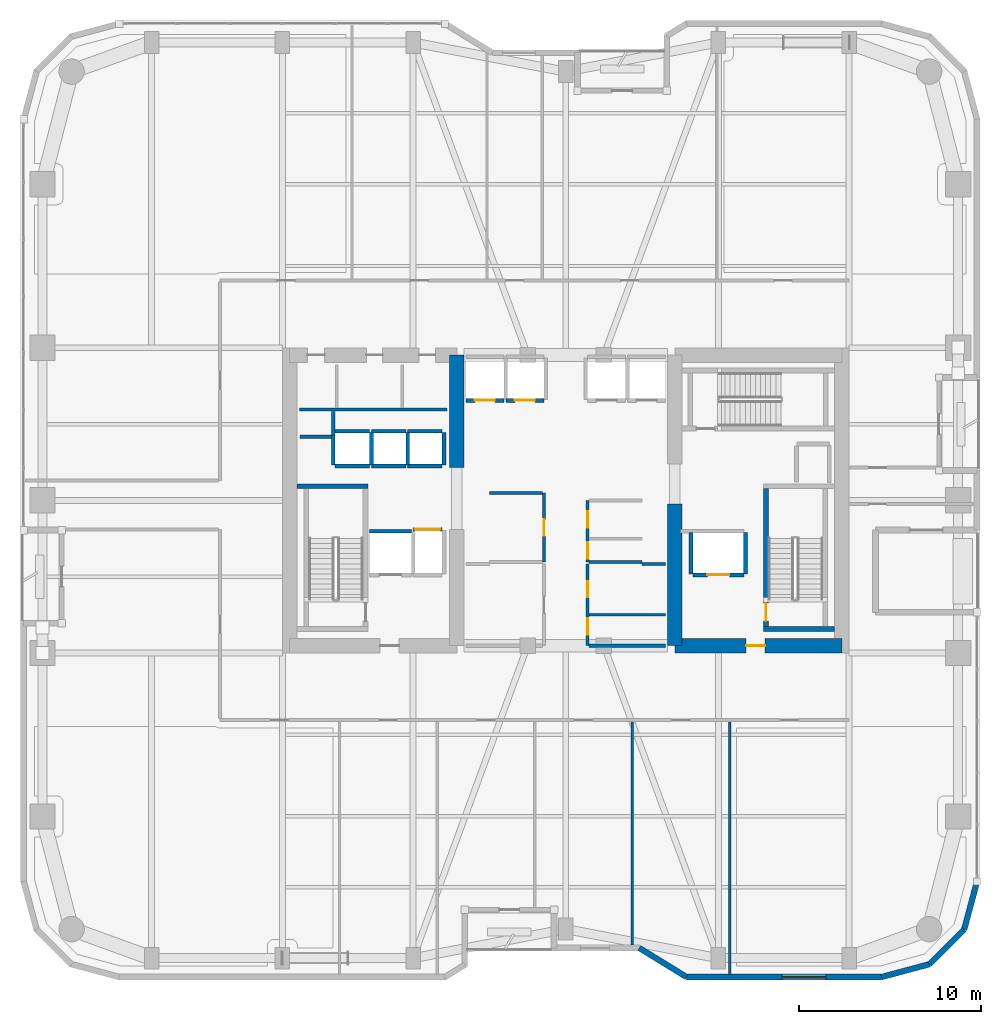
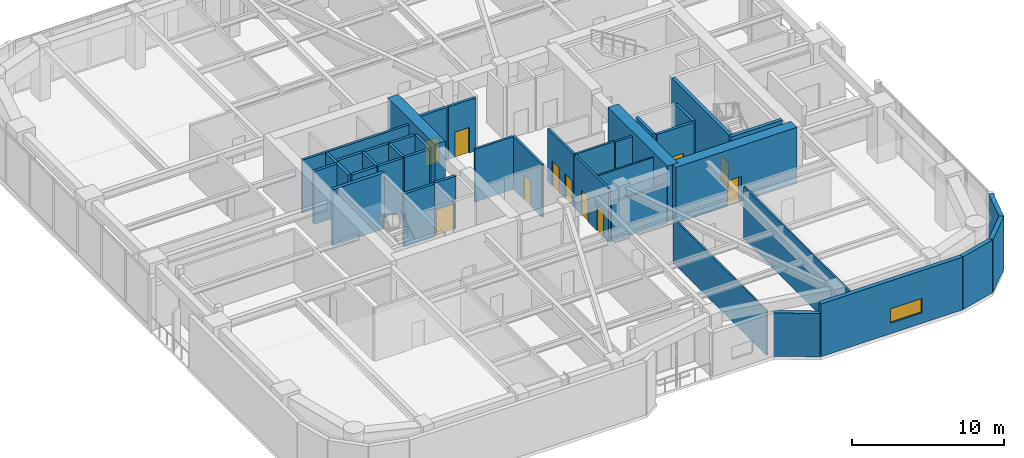
# One storey, part 15 of 20: 41 walls, 11 doors, 1 window, 12 openings.
"""IFC4 building model written with IfcOpenShell, lengths in metres."""

from ifc_helpers import new_model, si_unit, direction, frame, frame_2d, origin, place, context, subcontext, project, spatial, rectangle, extrude, material, layer, layer_set, type_object, element, fill, save


model = new_model("IFC4")

# Units and contexts
model_context = context("Model", 3, precision=1e-05, world=origin(), true_north=direction((0.0, 1.0)))
body_context = subcontext(model_context, "Body", "Model", "MODEL_VIEW")
ifc_project = project(units=[si_unit("LENGTHUNIT", "METRE"), si_unit("AREAUNIT", "SQUARE_METRE"), si_unit("VOLUMEUNIT", "CUBIC_METRE"), si_unit("PLANEANGLEUNIT", "RADIAN"), si_unit("MASSUNIT", "GRAM", prefix="KILO")], contexts=[model_context])

# Site, building, storey
site_placement = place(None, origin())
site = spatial("IfcSite", under=ifc_project, at=site_placement, CompositionType="ELEMENT")
building_placement = place(site_placement, origin())
building = spatial("IfcBuilding", under=site, at=building_placement, Name="Kiyonajd Concourse Tower", CompositionType="ELEMENT")
storey_placement = place(building_placement, frame((0.0, 0.0, 125.39990234375)))
storey = spatial("IfcBuildingStorey", under=building, at=storey_placement, Name="L32", CompositionType="ELEMENT", Elevation=125.39990234375)

# Walls
ifc_material_1 = material(Name="Concrete C70/85", Category="concrete")
ifc_layer_1 = layer(ifc_material_1, 0.800048828125)
ifc_layer_set_1 = layer_set([ifc_layer_1], Name="Concrete C70/85")
wall_type_1 = type_object("IfcWallType", Name="WL-CORE-800", PredefinedType="SHEAR", material=ifc_layer_set_1)
wall_1_placement = place(storey_placement, frame((42.0, 37.800048828125, 0.0), z_axis=(0.0, 0.0, 1.0), x_axis=(0.0, 1.0, 0.0)))
element("IfcWall", 1, at=wall_1_placement, inside=storey, type_object=wall_type_1, Name="L32 West Core Inner North Shear Wall", PredefinedType="SHEAR", context=body_context, shape_type="SweptSolid", body=[
    extrude(rectangle(XDim=6.199951171875, YDim=0.800048828125, at=frame_2d((3.10009765625, 0.0))), origin(), (0.0, 0.0, 1.0), 4.5),
])
wall_2_placement = place(storey_placement, frame((54.0, 28.0, 0.0), z_axis=(0.0, 0.0, 1.0), x_axis=(0.0, 1.0, 0.0)))
element("IfcWall", 2, at=wall_2_placement, inside=storey, type_object=wall_type_1, Name="L32 East Core Inner South Shear Wall", PredefinedType="SHEAR", context=body_context, shape_type="SweptSolid", body=[
    extrude(rectangle(XDim=7.800048828125, YDim=0.800048828125, at=frame_2d((3.89990234375, 0.0))), origin(), (0.0, 0.0, 1.0), 4.5),
])

# Wall, opening, door
wall_3_placement = place(storey_placement, frame((54.0, 28.0, 0.0), z_axis=(0.0, 0.0, 1.0), x_axis=(1.0, 0.0, 0.0)))
wall_3 = element("IfcWall", 3, at=wall_3_placement, inside=storey, type_object=wall_type_1, Name="L32 East Core South Shear Wall", PredefinedType="SHEAR", context=body_context, shape_type="SweptSolid", body=[
    extrude(rectangle(XDim=9.199951171875, YDim=0.800048828125, at=frame_2d((4.60009765625, 0.0))), origin(), (0.0, 0.0, 1.0), 4.5),
])
opening_1_placement = place(wall_3_placement, frame((3.925048828125, 0.0, 0.0)))
opening_1 = element("IfcOpeningElement", 4, at=opening_1_placement, cuts=wall_3, Name="Opening DF5", PredefinedType="OPENING", context=body_context, shape_type="SweptSolid", body=[
    extrude(rectangle(XDim=1.050048828125, YDim=2.0400390625, at=frame_2d((0.52490234375, 1.02001953125))), frame((0.0, 0.409912109375, 0.0), z_axis=(0.0, -1.0, 0.0), x_axis=(1.0, 0.0, 0.0)), (0.0, 0.0, 1.0), 0.820068359375),
])
ifc_material_2 = material(Name="Brushed Stainless Steel Cab Assembly", Category="steel")
door_type_1 = type_object("IfcDoorType", Name="DR-FD45-1050", OperationType="NOTDEFINED", PredefinedType="DOOR", material=ifc_material_2)
door_1_placement = place(opening_1_placement, origin())
door_1 = element("IfcDoor", 5, at=door_1_placement, inside=storey, type_object=door_type_1, Name="L32 Firefighting Lift Lobby E Smoke Door", OperationType="SINGLE_SWING_RIGHT", OverallHeight=2.0400390625, OverallWidth=1.050048828125, PredefinedType="DOOR", context=body_context, shape_type="SweptSolid", body=[
    extrude(rectangle(XDim=1.050048828125, YDim=2.0400390625, at=frame_2d((0.52490234375, 1.02001953125))), frame((0.0, 0.02490234375, 0.0), z_axis=(0.0, -1.0, 0.0), x_axis=(1.0, 0.0, 0.0)), (0.0, 0.0, 1.0), 0.050048828125),
])
fill(opening_1, door_1)

# Walls
ifc_material_3 = material(Name="Precast concrete C50/60", Category="concrete")
ifc_layer_2 = layer(ifc_material_3, 0.320068359375)
ifc_layer_set_2 = layer_set([ifc_layer_2], Name="Precast concrete C50/60")
wall_type_2 = type_object("IfcWallType", Name="WL-EXT-320", PredefinedType="SOLIDWALL", material=ifc_layer_set_2)
wall_4_placement = place(storey_placement, frame((70.639892578125, 15.02099609375, 0.0), z_axis=(0.0, 0.0, 1.0), x_axis=(-0.258613949072, -0.965980758269, 0.0)))
element("IfcWall", 6, at=wall_4_placement, inside=storey, type_object=wall_type_2, Name="L32 Exterior Concrete Frame Wall 28", PredefinedType="SOLIDWALL", context=body_context, shape_type="SweptSolid", body=[
    extrude(rectangle(XDim=2.731201171875, YDim=0.320068359375, at=frame_2d((1.36572265625, 0.0))), origin(), (0.0, 0.0, 1.0), 4.239990234375),
])
wall_5_placement = place(storey_placement, frame((69.93359375, 12.3828125, 0.0), z_axis=(0.0, 0.0, 1.0), x_axis=(-0.707151821269, -0.707061738235, 0.0)))
element("IfcWall", 7, at=wall_5_placement, inside=storey, type_object=wall_type_2, Name="L32 Exterior Concrete Frame Wall 29", PredefinedType="SOLIDWALL", context=body_context, shape_type="SweptSolid", body=[
    extrude(rectangle(XDim=2.710205078125, YDim=0.320068359375, at=frame_2d((1.35498046875, 0.0))), origin(), (0.0, 0.0, 1.0), 4.239990234375),
])
wall_6_placement = place(storey_placement, frame((68.01708984375, 10.466552734375, 0.0), z_axis=(0.0, 0.0, 1.0), x_axis=(-0.965958423373, -0.25869736047, 0.0)))
element("IfcWall", 8, at=wall_6_placement, inside=storey, type_object=wall_type_2, Name="L32 Exterior Concrete Frame Wall 30", PredefinedType="SOLIDWALL", context=body_context, shape_type="SweptSolid", body=[
    extrude(rectangle(XDim=2.731201171875, YDim=0.320068359375, at=frame_2d((1.36572265625, 0.0))), origin(), (0.0, 0.0, 1.0), 4.239990234375),
])

# Wall, opening, window
wall_7_placement = place(storey_placement, frame((65.37890625, 9.760009765625, 0.0), z_axis=(0.0, 0.0, 1.0), x_axis=(-1.0, 0.0, 0.0)))
wall_7 = element("IfcWall", 9, at=wall_7_placement, inside=storey, type_object=wall_type_2, Name="L32 Exterior Concrete Frame Wall 31", PredefinedType="SOLIDWALL", context=body_context, shape_type="SweptSolid", body=[
    extrude(rectangle(XDim=10.733642578125, YDim=0.320068359375, at=frame_2d((5.36669921875, 0.0))), origin(), (0.0, 0.0, 1.0), 4.239990234375),
])
opening_2_placement = place(wall_7_placement, frame((3.069091796875, 0.0, 0.85009765625)))
opening_2 = element("IfcOpeningElement", 10, at=opening_2_placement, cuts=wall_7, Name="Opening WN4", PredefinedType="OPENING", context=body_context, shape_type="SweptSolid", body=[
    extrude(rectangle(XDim=2.39990234375, YDim=1.14990234375, at=frame_2d((1.199951171875, 0.574951171875))), frame((0.0, 0.169921875, 0.0), z_axis=(0.0, -1.0, 0.0), x_axis=(1.0, 0.0, 0.0)), (0.0, 0.0, 1.0), 0.340087890625),
])
ifc_material_4 = material(Name="Double Low-E Insulated Glass", Category="glass")
window_type = type_object("IfcWindowType", Name="WN-VIS-2400x1150", PartitioningType="SINGLE_PANEL", PredefinedType="WINDOW", material=ifc_material_4)
window_placement = place(opening_2_placement, origin())
window = element("IfcWindow", 11, at=window_placement, inside=storey, type_object=window_type, Name="L32 Modular Facade Vision Window 31", OverallHeight=1.14990234375, OverallWidth=2.39990234375, PartitioningType="SINGLE_PANEL", PredefinedType="WINDOW", context=body_context, shape_type="SweptSolid", body=[
    extrude(rectangle(XDim=2.39990234375, YDim=1.14990234375, at=frame_2d((1.199951171875, 0.574951171875))), frame((0.0, 0.030029296875, 0.0), z_axis=(0.0, -1.0, 0.0), x_axis=(1.0, 0.0, 0.0)), (0.0, 0.0, 1.0), 0.06005859375),
])
fill(opening_2, window)

# Walls
wall_8_placement = place(storey_placement, frame((54.645263671875, 9.760009765625, 0.0), z_axis=(0.0, 0.0, 1.0), x_axis=(-0.851630857047, 0.524142044989, 0.0)))
element("IfcWall", 12, at=wall_8_placement, inside=storey, type_object=wall_type_2, Name="L32 Exterior Concrete Frame Wall 32", PredefinedType="SOLIDWALL", context=body_context, shape_type="SweptSolid", body=[
    extrude(rectangle(XDim=3.052734375, YDim=0.320068359375, at=frame_2d((1.5263671875, 0.0))), origin(), (0.0, 0.0, 1.0), 3.47509765625),
])
ifc_material_5 = material(Name="Gypsum Board on Cold-Formed Steel Stud", Category="steel")
ifc_layer_3 = layer(ifc_material_5, 0.125)
ifc_layer_set_3 = layer_set([ifc_layer_3], Name="Gypsum Board on Cold-Formed Steel Stud")
wall_type_3 = type_object("IfcWallType", Name="WL-PART-125", PredefinedType="PARTITIONING", material=ifc_layer_set_3)
wall_9_placement = place(storey_placement, frame((49.287109375, 29.7099609375, 0.0), z_axis=(0.0, 0.0, 1.0), x_axis=(1.0, 0.0, 0.0)))
element("IfcWall", 13, at=wall_9_placement, inside=storey, type_object=wall_type_3, Name="L32 Interior Partition Wall", PredefinedType="PARTITIONING", context=body_context, shape_type="SweptSolid", body=[
    extrude(rectangle(XDim=4.212890625, YDim=0.125, at=frame_2d((2.1064453125, 0.0))), origin(), (0.0, 0.0, 1.0), 4.239990234375),
])
wall_10_placement = place(storey_placement, frame((51.659912109375, 11.514892578125, 0.0), z_axis=(0.0, 0.0, 1.0), x_axis=(0.0, 1.0, 0.0)))
element("IfcWall", 14, at=wall_10_placement, inside=storey, type_object=wall_type_3, Name="L32 Interior Partition Wall", PredefinedType="PARTITIONING", context=body_context, shape_type="SweptSolid", body=[
    extrude(rectangle(XDim=12.298095703125, YDim=0.125, at=frame_2d((6.14892578125, 0.0))), origin(), (0.0, 0.0, 1.0), 3.60302734375),
])
wall_11_placement = place(storey_placement, frame((57.030029296875, 9.9150390625, 0.0), z_axis=(0.0, 0.0, 1.0), x_axis=(0.0, 1.0, 0.0)))
element("IfcWall", 15, at=wall_11_placement, inside=storey, type_object=wall_type_3, Name="L32 Interior Partition Wall", PredefinedType="PARTITIONING", context=body_context, shape_type="SweptSolid", body=[
    extrude(rectangle(XDim=13.89794921875, YDim=0.125, at=frame_2d((6.948974609375, 0.0))), origin(), (0.0, 0.0, 1.0), 4.239990234375),
])
ifc_layer_4 = layer(ifc_material_5, 0.18994140625)
ifc_layer_set_4 = layer_set([ifc_layer_4], Name="Gypsum Board on Cold-Formed Steel Stud")
wall_type_4 = type_object("IfcWallType", Name="WL-PLMB-190", PredefinedType="PLUMBINGWALL", material=ifc_layer_set_4)
wall_12_placement = place(storey_placement, frame((33.35009765625, 41.0, 0.0), z_axis=(0.0, 0.0, 1.0), x_axis=(1.0, 0.0, 0.0)))
element("IfcWall", 16, at=wall_12_placement, inside=storey, type_object=wall_type_4, Name="L32 Interior Partition Wall", PredefinedType="PLUMBINGWALL", context=body_context, shape_type="SweptSolid", body=[
    extrude(rectangle(XDim=8.099853515625, YDim=0.18994140625, at=frame_2d((4.0498046875, 0.0))), origin(), (0.0, 0.0, 1.0), 4.239990234375),
])
ifc_layer_5 = layer(ifc_material_5, 0.2099609375)
ifc_layer_set_5 = layer_set([ifc_layer_5], Name="Gypsum Board on Cold-Formed Steel Stud")
wall_type_5 = type_object("IfcWallType", Name="WL-SHAFT-210", PredefinedType="PARTITIONING", material=ifc_layer_set_5)
wall_13_placement = place(storey_placement, frame((33.360107421875, 39.5, 0.0), z_axis=(0.0, 0.0, 1.0), x_axis=(1.0, 0.0, 0.0)))
element("IfcWall", 17, at=wall_13_placement, inside=storey, type_object=wall_type_5, Name="L32 Shaft Enclosure Wall", PredefinedType="PARTITIONING", context=body_context, shape_type="SweptSolid", body=[
    extrude(rectangle(XDim=1.85986328125, YDim=0.2099609375, at=frame_2d((0.929931640625, 0.0))), origin(), (0.0, 0.0, 1.0), 4.239990234375),
])
wall_14_placement = place(storey_placement, frame((35.199951171875, 39.580078125, 0.0), z_axis=(0.0, 0.0, 1.0), x_axis=(0.0, 1.0, 0.0)))
element("IfcWall", 18, at=wall_14_placement, inside=storey, type_object=wall_type_5, Name="L32 Shaft Enclosure Wall", PredefinedType="PARTITIONING", context=body_context, shape_type="SweptSolid", body=[
    extrude(rectangle(XDim=1.31982421875, YDim=0.2099609375, at=frame_2d((0.659912109375, 0.0))), origin(), (0.0, 0.0, 1.0), 4.239990234375),
])
wall_15_placement = place(storey_placement, frame((37.199951171875, 34.300048828125, 0.0), z_axis=(0.0, 0.0, 1.0), x_axis=(1.0, 0.0, 0.0)))
element("IfcWall", 19, at=wall_15_placement, inside=storey, type_object=wall_type_5, Name="L32 Shaft Enclosure Wall", PredefinedType="PARTITIONING", context=body_context, shape_type="SweptSolid", body=[
    extrude(rectangle(XDim=2.300048828125, YDim=0.2099609375, at=frame_2d((1.14990234375, 0.0))), origin(), (0.0, 0.0, 1.0), 4.239990234375),
])

# Wall, opening, door
wall_16_placement = place(storey_placement, frame((55.0, 31.89990234375, 0.0), z_axis=(0.0, 0.0, 1.0), x_axis=(1.0, 0.0, 0.0)))
wall_16 = element("IfcWall", 20, at=wall_16_placement, inside=storey, type_object=wall_type_5, Name="L32 Shaft Enclosure Wall", PredefinedType="PARTITIONING", context=body_context, shape_type="SweptSolid", body=[
    extrude(rectangle(XDim=2.800048828125, YDim=0.2099609375, at=frame_2d((1.39990234375, 0.0))), origin(), (0.0, 0.0, 1.0), 4.239990234375),
])
opening_3_placement = place(wall_16_placement, frame((0.800048828125, 0.0, 0.0)))
opening_3 = element("IfcOpeningElement", 21, at=opening_3_placement, cuts=wall_16, Name="Opening LD2", PredefinedType="OPENING", context=body_context, shape_type="SweptSolid", body=[
    extrude(rectangle(XDim=1.199951171875, YDim=2.0400390625, at=frame_2d((0.60009765625, 1.02001953125))), frame((0.0, 0.114990234375, 0.0), z_axis=(0.0, -1.0, 0.0), x_axis=(1.0, 0.0, 0.0)), (0.0, 0.0, 1.0), 0.22998046875),
])
door_type_2 = type_object("IfcDoorType", Name="DR-LD-1200", OperationType="DOUBLE_DOOR_SLIDING", PredefinedType="DOOR", material=ifc_material_2)
door_2_placement = place(opening_3_placement, origin())
door_2 = element("IfcDoor", 22, at=door_2_placement, inside=storey, type_object=door_type_2, Name="L32 Lift FFL2 Sliding Landing Door", OperationType="DOUBLE_DOOR_SLIDING", OverallHeight=2.0400390625, OverallWidth=1.199951171875, PredefinedType="DOOR", context=body_context, shape_type="SweptSolid", body=[
    extrude(rectangle(XDim=1.199951171875, YDim=2.0400390625, at=frame_2d((0.60009765625, 1.02001953125))), frame((0.0, 0.02490234375, 0.0), z_axis=(0.0, -1.0, 0.0), x_axis=(1.0, 0.0, 0.0)), (0.0, 0.0, 1.0), 0.050048828125),
])
fill(opening_3, door_2)

# Walls
for number, where, z_axis, x_axis, name in (
    (23, (54.89990234375, 31.9599609375, 0.0), (0.0, 0.0, 1.0), (0.0, 1.0, 0.0), "L32 Shaft Enclosure Wall"),
    (24, (57.89990234375, 31.9599609375, 0.0), (0.0, 0.0, 1.0), (0.0, 1.0, 0.0), "L32 Shaft Enclosure Wall"),
):
    element("IfcWall", number, at=place(storey_placement, frame(where, z_axis=z_axis, x_axis=x_axis)), inside=storey, type_object=wall_type_5, Name=name, PredefinedType="PARTITIONING", context=body_context, shape_type="SweptSolid", body=[
        extrude(rectangle(XDim=2.280029296875, YDim=0.2099609375, at=frame_2d((1.14013671875, 0.0))), origin(), (0.0, 0.0, 1.0), 4.239990234375),
    ])

# Wall, opening, door
wall_17_placement = place(storey_placement, frame((39.60009765625, 34.39990234375, 0.0), z_axis=(0.0, 0.0, 1.0), x_axis=(1.0, 0.0, 0.0)))
wall_17 = element("IfcWall", 25, at=wall_17_placement, inside=storey, type_object=wall_type_5, Name="L32 Shaft Enclosure Wall", PredefinedType="PARTITIONING", context=body_context, shape_type="SweptSolid", body=[
    extrude(rectangle(XDim=1.599853515625, YDim=0.2099609375, at=frame_2d((0.7998046875, 0.0))), origin(), (0.0, 0.0, 1.0), 4.239990234375),
])
opening_4_placement = place(wall_17_placement, frame((0.10009765625, 0.0, 0.0)))
opening_4 = element("IfcOpeningElement", 26, at=opening_4_placement, cuts=wall_17, Name="Opening LD3", PredefinedType="OPENING", context=body_context, shape_type="SweptSolid", body=[
    extrude(rectangle(XDim=1.39990234375, YDim=2.06005859375, at=frame_2d((0.699951171875, 1.030029296875))), frame((0.0, 0.114990234375, 0.0), z_axis=(0.0, -1.0, 0.0), x_axis=(1.0, 0.0, 0.0)), (0.0, 0.0, 1.0), 0.22998046875),
])
door_type_3 = type_object("IfcDoorType", Name="DR-LD-1400", OperationType="DOUBLE_DOOR_SLIDING", PredefinedType="DOOR", material=ifc_material_2)
door_3_placement = place(opening_4_placement, origin())
door_3 = element("IfcDoor", 27, at=door_3_placement, inside=storey, type_object=door_type_3, Name="L32 Lift SVL1 Sliding Landing Door", OperationType="DOUBLE_DOOR_SLIDING", OverallHeight=2.06005859375, OverallWidth=1.39990234375, PredefinedType="DOOR", context=body_context, shape_type="SweptSolid", body=[
    extrude(rectangle(XDim=1.39990234375, YDim=2.06005859375, at=frame_2d((0.699951171875, 1.030029296875))), frame((0.0, 0.02490234375, 0.0), z_axis=(0.0, -1.0, 0.0), x_axis=(1.0, 0.0, 0.0)), (0.0, 0.0, 1.0), 0.050048828125),
])
fill(opening_4, door_3)

wall_18_placement = place(storey_placement, frame((42.5, 41.5, 0.0), z_axis=(0.0, 0.0, 1.0), x_axis=(1.0, 0.0, 0.0)))
wall_18 = element("IfcWall", 28, at=wall_18_placement, inside=storey, type_object=wall_type_5, Name="L32 Shaft Enclosure Wall", PredefinedType="PARTITIONING", context=body_context, shape_type="SweptSolid", body=[
    extrude(rectangle(XDim=2.10009765625, YDim=0.2099609375, at=frame_2d((1.050048828125, 0.0))), origin(), (0.0, 0.0, 1.0), 4.239990234375),
])
opening_5_placement = place(wall_18_placement, frame((0.5, 0.0, 0.0)))
opening_5 = element("IfcOpeningElement", 29, at=opening_5_placement, cuts=wall_18, Name="Opening LD1", PredefinedType="OPENING", context=body_context, shape_type="SweptSolid", body=[
    extrude(rectangle(XDim=1.10009765625, YDim=2.0400390625, at=frame_2d((0.550048828125, 1.02001953125))), frame((0.0, 0.114990234375, 0.0), z_axis=(0.0, -1.0, 0.0), x_axis=(1.0, 0.0, 0.0)), (0.0, 0.0, 1.0), 0.22998046875),
])
door_type_4 = type_object("IfcDoorType", Name="DR-LD-1100", OperationType="DOUBLE_DOOR_SLIDING", PredefinedType="DOOR", material=ifc_material_2)
door_4_placement = place(opening_5_placement, origin())
door_4 = element("IfcDoor", 30, at=door_4_placement, inside=storey, type_object=door_type_4, Name="L32 Lift PL-M1 Sliding Landing Door", OperationType="DOUBLE_DOOR_SLIDING", OverallHeight=2.0400390625, OverallWidth=1.10009765625, PredefinedType="DOOR", context=body_context, shape_type="SweptSolid", body=[
    extrude(rectangle(XDim=1.10009765625, YDim=2.0400390625, at=frame_2d((0.550048828125, 1.02001953125))), frame((0.0, 0.02490234375, 0.0), z_axis=(0.0, -1.0, 0.0), x_axis=(1.0, 0.0, 0.0)), (0.0, 0.0, 1.0), 0.050048828125),
])
fill(opening_5, door_4)

wall_19_placement = place(storey_placement, frame((44.699951171875, 41.5, 0.0), z_axis=(0.0, 0.0, 1.0), x_axis=(1.0, 0.0, 0.0)))
wall_19 = element("IfcWall", 31, at=wall_19_placement, inside=storey, type_object=wall_type_5, Name="L32 Shaft Enclosure Wall", PredefinedType="PARTITIONING", context=body_context, shape_type="SweptSolid", body=[
    extrude(rectangle(XDim=2.10009765625, YDim=0.2099609375, at=frame_2d((1.050048828125, 0.0))), origin(), (0.0, 0.0, 1.0), 4.239990234375),
])
opening_6_placement = place(wall_19_placement, frame((0.5, 0.0, 0.0)))
opening_6 = element("IfcOpeningElement", 32, at=opening_6_placement, cuts=wall_19, Name="Opening LD1", PredefinedType="OPENING", context=body_context, shape_type="SweptSolid", body=[
    extrude(rectangle(XDim=1.10009765625, YDim=2.0400390625, at=frame_2d((0.550048828125, 1.02001953125))), frame((0.0, 0.114990234375, 0.0), z_axis=(0.0, -1.0, 0.0), x_axis=(1.0, 0.0, 0.0)), (0.0, 0.0, 1.0), 0.22998046875),
])
door_5_placement = place(opening_6_placement, origin())
door_5 = element("IfcDoor", 33, at=door_5_placement, inside=storey, type_object=door_type_4, Name="L32 Lift PL-M2 Sliding Landing Door", OperationType="DOUBLE_DOOR_SLIDING", OverallHeight=2.0400390625, OverallWidth=1.10009765625, PredefinedType="DOOR", context=body_context, shape_type="SweptSolid", body=[
    extrude(rectangle(XDim=1.10009765625, YDim=2.0400390625, at=frame_2d((0.550048828125, 1.02001953125))), frame((0.0, 0.02490234375, 0.0), z_axis=(0.0, -1.0, 0.0), x_axis=(1.0, 0.0, 0.0)), (0.0, 0.0, 1.0), 0.050048828125),
])
fill(opening_6, door_5)

# Walls
for number, where, z_axis, x_axis, name in (
    (34, (35.300048828125, 37.89990234375, 0.0), (0.0, 0.0, 1.0), (1.0, 0.0, 0.0), "L32 Shaft Enclosure Wall"),
    (35, (35.300048828125, 39.800048828125, 0.0), (0.0, 0.0, 1.0), (1.0, 0.0, 0.0), "L32 Shaft Enclosure Wall"),
):
    element("IfcWall", number, at=place(storey_placement, frame(where, z_axis=z_axis, x_axis=x_axis)), inside=storey, type_object=wall_type_5, Name=name, PredefinedType="PARTITIONING", context=body_context, shape_type="SweptSolid", body=[
        extrude(rectangle(XDim=1.89990234375, YDim=0.2099609375, at=frame_2d((0.949951171875, 0.0))), origin(), (0.0, 0.0, 1.0), 4.239990234375),
    ])
wall_20_placement = place(storey_placement, frame((35.199951171875, 37.9599609375, 0.0), z_axis=(0.0, 0.0, 1.0), x_axis=(0.0, 1.0, 0.0)))
element("IfcWall", 36, at=wall_20_placement, inside=storey, type_object=wall_type_5, Name="L32 Shaft Enclosure Wall", PredefinedType="PARTITIONING", context=body_context, shape_type="SweptSolid", body=[
    extrude(rectangle(XDim=1.6201171875, YDim=0.2099609375, at=frame_2d((0.81005859375, 0.0))), origin(), (0.0, 0.0, 1.0), 4.239990234375),
])
wall_21_placement = place(storey_placement, frame((37.300048828125, 37.9599609375, 0.0), z_axis=(0.0, 0.0, 1.0), x_axis=(0.0, 1.0, 0.0)))
element("IfcWall", 37, at=wall_21_placement, inside=storey, type_object=wall_type_5, Name="L32 Shaft Enclosure Wall", PredefinedType="PARTITIONING", context=body_context, shape_type="SweptSolid", body=[
    extrude(rectangle(XDim=1.780029296875, YDim=0.2099609375, at=frame_2d((0.89013671875, 0.0))), origin(), (0.0, 0.0, 1.0), 4.239990234375),
])
for number, where, z_axis, x_axis, name in (
    (38, (37.300048828125, 37.89990234375, 0.0), (0.0, 0.0, 1.0), (1.0, 0.0, 0.0), "L32 Shaft Enclosure Wall"),
    (39, (37.300048828125, 39.800048828125, 0.0), (0.0, 0.0, 1.0), (1.0, 0.0, 0.0), "L32 Shaft Enclosure Wall"),
):
    element("IfcWall", number, at=place(storey_placement, frame(where, z_axis=z_axis, x_axis=x_axis)), inside=storey, type_object=wall_type_5, Name=name, PredefinedType="PARTITIONING", context=body_context, shape_type="SweptSolid", body=[
        extrude(rectangle(XDim=1.89990234375, YDim=0.2099609375, at=frame_2d((0.949951171875, 0.0))), origin(), (0.0, 0.0, 1.0), 4.239990234375),
    ])
wall_22_placement = place(storey_placement, frame((39.300048828125, 37.9599609375, 0.0), z_axis=(0.0, 0.0, 1.0), x_axis=(0.0, 1.0, 0.0)))
element("IfcWall", 40, at=wall_22_placement, inside=storey, type_object=wall_type_5, Name="L32 Shaft Enclosure Wall", PredefinedType="PARTITIONING", context=body_context, shape_type="SweptSolid", body=[
    extrude(rectangle(XDim=1.780029296875, YDim=0.2099609375, at=frame_2d((0.89013671875, 0.0))), origin(), (0.0, 0.0, 1.0), 4.239990234375),
])
for number, where, z_axis, x_axis, name in (
    (41, (39.300048828125, 37.89990234375, 0.0), (0.0, 0.0, 1.0), (1.0, 0.0, 0.0), "L32 Shaft Enclosure Wall"),
    (42, (39.300048828125, 39.800048828125, 0.0), (0.0, 0.0, 1.0), (1.0, 0.0, 0.0), "L32 Shaft Enclosure Wall"),
):
    element("IfcWall", number, at=place(storey_placement, frame(where, z_axis=z_axis, x_axis=x_axis)), inside=storey, type_object=wall_type_5, Name=name, PredefinedType="PARTITIONING", context=body_context, shape_type="SweptSolid", body=[
        extrude(rectangle(XDim=1.89990234375, YDim=0.2099609375, at=frame_2d((0.949951171875, 0.0))), origin(), (0.0, 0.0, 1.0), 4.239990234375),
    ])
wall_23_placement = place(storey_placement, frame((41.300048828125, 37.9599609375, 0.0), z_axis=(0.0, 0.0, 1.0), x_axis=(0.0, 1.0, 0.0)))
element("IfcWall", 43, at=wall_23_placement, inside=storey, type_object=wall_type_5, Name="L32 Shaft Enclosure Wall", PredefinedType="PARTITIONING", context=body_context, shape_type="SweptSolid", body=[
    extrude(rectangle(XDim=1.780029296875, YDim=0.2099609375, at=frame_2d((0.89013671875, 0.0))), origin(), (0.0, 0.0, 1.0), 4.239990234375),
])

# Wall, opening, door
ifc_layer_6 = layer(ifc_material_5, 0.169921875)
ifc_layer_set_6 = layer_set([ifc_layer_6], Name="Gypsum Board on Cold-Formed Steel Stud")
wall_type_6 = type_object("IfcWallType", Name="WL-SMK-170", PredefinedType="PARTITIONING", material=ifc_layer_set_6)
wall_24_placement = place(storey_placement, frame((46.800048828125, 32.60009765625, 0.0), z_axis=(0.0, 0.0, 1.0), x_axis=(0.0, 1.0, 0.0)))
wall_24 = element("IfcWall", 44, at=wall_24_placement, inside=storey, type_object=wall_type_6, Name="L32 Interior Partition Wall", PredefinedType="PARTITIONING", context=body_context, shape_type="SweptSolid", body=[
    extrude(rectangle(XDim=3.7998046875, YDim=0.169921875, at=frame_2d((1.89990234375, 0.0))), origin(), (0.0, 0.0, 1.0), 4.239990234375),
])
opening_7_placement = place(wall_24_placement, frame((1.449951171875, 0.0, 0.0)))
opening_7 = element("IfcOpeningElement", 45, at=opening_7_placement, cuts=wall_24, Name="Opening DI2", PredefinedType="OPENING", context=body_context, shape_type="SweptSolid", body=[
    extrude(rectangle(XDim=0.89990234375, YDim=2.02001953125, at=frame_2d((0.449951171875, 1.010009765625))), frame((0.0, 0.094970703125, 0.0), z_axis=(0.0, -1.0, 0.0), x_axis=(1.0, 0.0, 0.0)), (0.0, 0.0, 1.0), 0.18994140625),
])
ifc_material_6 = material(Name="Natural Oak Acoustic Timber Veneer", Category="wood")
door_type_5 = type_object("IfcDoorType", Name="DR-INT-900", OperationType="NOTDEFINED", PredefinedType="DOOR", material=ifc_material_6)
door_6_placement = place(opening_7_placement, origin())
door_6 = element("IfcDoor", 46, at=door_6_placement, inside=storey, type_object=door_type_5, Name="L32 Interior Door", OperationType="SINGLE_SWING_LEFT", OverallHeight=2.02001953125, OverallWidth=0.89990234375, PredefinedType="DOOR", context=body_context, shape_type="SweptSolid", body=[
    extrude(rectangle(XDim=0.89990234375, YDim=2.02001953125, at=frame_2d((0.449951171875, 1.010009765625))), frame((0.0, 0.02490234375, 0.0), z_axis=(0.0, -1.0, 0.0), x_axis=(1.0, 0.0, 0.0)), (0.0, 0.0, 1.0), 0.050048828125),
])
fill(opening_7, door_6)

# Wall
wall_25_placement = place(storey_placement, frame((43.800048828125, 36.39990234375, 0.0), z_axis=(0.0, 0.0, 1.0), x_axis=(1.0, 0.0, 0.0)))
element("IfcWall", 47, at=wall_25_placement, inside=storey, type_object=wall_type_6, Name="L32 Interior Partition Wall", PredefinedType="PARTITIONING", context=body_context, shape_type="SweptSolid", body=[
    extrude(rectangle(XDim=2.912841796875, YDim=0.169921875, at=frame_2d((1.45654296875, 0.0))), origin(), (0.0, 0.0, 1.0), 4.239990234375),
])

# Wall, openings, doors
wall_26_placement = place(storey_placement, frame((49.199951171875, 32.60009765625, 0.0), z_axis=(0.0, 0.0, 1.0), x_axis=(0.0, 1.0, 0.0)))
wall_26 = element("IfcWall", 48, at=wall_26_placement, inside=storey, type_object=wall_type_6, Name="L32 Interior Partition Wall", PredefinedType="PARTITIONING", context=body_context, shape_type="SweptSolid", body=[
    extrude(rectangle(XDim=3.39990234375, YDim=0.169921875, at=frame_2d((1.699951171875, 0.0))), origin(), (0.0, 0.0, 1.0), 4.239990234375),
])
opening_8_placement = place(wall_26_placement, frame((0.196044921875, 0.0, 0.0)))
opening_8 = element("IfcOpeningElement", 49, at=opening_8_placement, cuts=wall_26, Name="Opening DI2", PredefinedType="OPENING", context=body_context, shape_type="SweptSolid", body=[
    extrude(rectangle(XDim=0.89990234375, YDim=2.02001953125, at=frame_2d((0.449951171875, 1.010009765625))), frame((0.0, 0.094970703125, 0.0), z_axis=(0.0, -1.0, 0.0), x_axis=(1.0, 0.0, 0.0)), (0.0, 0.0, 1.0), 0.18994140625),
])
opening_9_placement = place(wall_26_placement, frame((1.89599609375, 0.0, 0.0)))
opening_9 = element("IfcOpeningElement", 50, at=opening_9_placement, cuts=wall_26, Name="Opening DI2", PredefinedType="OPENING", context=body_context, shape_type="SweptSolid", body=[
    extrude(rectangle(XDim=0.89990234375, YDim=2.02001953125, at=frame_2d((0.449951171875, 1.010009765625))), frame((0.0, 0.094970703125, 0.0), z_axis=(0.0, -1.0, 0.0), x_axis=(1.0, 0.0, 0.0)), (0.0, 0.0, 1.0), 0.18994140625),
])
door_7_placement = place(opening_8_placement, origin())
door_7 = element("IfcDoor", 51, at=door_7_placement, inside=storey, type_object=door_type_5, Name="L32 Interior Door", OperationType="SINGLE_SWING_RIGHT", OverallHeight=2.02001953125, OverallWidth=0.89990234375, PredefinedType="DOOR", context=body_context, shape_type="SweptSolid", body=[
    extrude(rectangle(XDim=0.89990234375, YDim=2.02001953125, at=frame_2d((0.449951171875, 1.010009765625))), frame((0.0, 0.02490234375, 0.0), z_axis=(0.0, -1.0, 0.0), x_axis=(1.0, 0.0, 0.0)), (0.0, 0.0, 1.0), 0.050048828125),
])
fill(opening_8, door_7)
door_8_placement = place(opening_9_placement, origin())
door_8 = element("IfcDoor", 52, at=door_8_placement, inside=storey, type_object=door_type_5, Name="L32 Interior Door", OperationType="SINGLE_SWING_LEFT", OverallHeight=2.02001953125, OverallWidth=0.89990234375, PredefinedType="DOOR", context=body_context, shape_type="SweptSolid", body=[
    extrude(rectangle(XDim=0.89990234375, YDim=2.02001953125, at=frame_2d((0.449951171875, 1.010009765625))), frame((0.0, 0.02490234375, 0.0), z_axis=(0.0, -1.0, 0.0), x_axis=(1.0, 0.0, 0.0)), (0.0, 0.0, 1.0), 0.050048828125),
])
fill(opening_9, door_8)

# Wall
wall_27_placement = place(storey_placement, frame((49.287109375, 32.60009765625, 0.0), z_axis=(0.0, 0.0, 1.0), x_axis=(1.0, 0.0, 0.0)))
element("IfcWall", 53, at=wall_27_placement, inside=storey, type_object=wall_type_6, Name="L32 Interior Partition Wall", PredefinedType="PARTITIONING", context=body_context, shape_type="SweptSolid", body=[
    extrude(rectangle(XDim=2.912841796875, YDim=0.169921875, at=frame_2d((1.45654296875, 0.0))), origin(), (0.0, 0.0, 1.0), 4.239990234375),
])

# Wall, openings, doors
wall_28_placement = place(storey_placement, frame((49.199951171875, 28.0, 0.0), z_axis=(0.0, 0.0, 1.0), x_axis=(0.0, 1.0, 0.0)))
wall_28 = element("IfcWall", 54, at=wall_28_placement, inside=storey, type_object=wall_type_6, Name="L32 Interior Partition Wall", PredefinedType="PARTITIONING", context=body_context, shape_type="SweptSolid", body=[
    extrude(rectangle(XDim=4.5, YDim=0.169921875, at=frame_2d((2.25, 0.0))), origin(), (0.0, 0.0, 1.0), 4.239990234375),
])
opening_10_placement = place(wall_28_placement, frame((0.60498046875, 0.0, 0.0)))
opening_10 = element("IfcOpeningElement", 55, at=opening_10_placement, cuts=wall_28, Name="Opening DI2", PredefinedType="OPENING", context=body_context, shape_type="SweptSolid", body=[
    extrude(rectangle(XDim=0.89990234375, YDim=2.02001953125, at=frame_2d((0.449951171875, 1.010009765625))), frame((0.0, 0.094970703125, 0.0), z_axis=(0.0, -1.0, 0.0), x_axis=(1.0, 0.0, 0.0)), (0.0, 0.0, 1.0), 0.18994140625),
])
opening_11_placement = place(wall_28_placement, frame((2.655029296875, 0.0, 0.0)))
opening_11 = element("IfcOpeningElement", 56, at=opening_11_placement, cuts=wall_28, Name="Opening DI2", PredefinedType="OPENING", context=body_context, shape_type="SweptSolid", body=[
    extrude(rectangle(XDim=0.89990234375, YDim=2.02001953125, at=frame_2d((0.449951171875, 1.010009765625))), frame((0.0, 0.094970703125, 0.0), z_axis=(0.0, -1.0, 0.0), x_axis=(1.0, 0.0, 0.0)), (0.0, 0.0, 1.0), 0.18994140625),
])
door_9_placement = place(opening_10_placement, origin())
door_9 = element("IfcDoor", 57, at=door_9_placement, inside=storey, type_object=door_type_5, Name="L32 Interior Door", OperationType="SINGLE_SWING_LEFT", OverallHeight=2.02001953125, OverallWidth=0.89990234375, PredefinedType="DOOR", context=body_context, shape_type="SweptSolid", body=[
    extrude(rectangle(XDim=0.89990234375, YDim=2.02001953125, at=frame_2d((0.449951171875, 1.010009765625))), frame((0.0, 0.02490234375, 0.0), z_axis=(0.0, -1.0, 0.0), x_axis=(1.0, 0.0, 0.0)), (0.0, 0.0, 1.0), 0.050048828125),
])
fill(opening_10, door_9)
door_10_placement = place(opening_11_placement, origin())
door_10 = element("IfcDoor", 58, at=door_10_placement, inside=storey, type_object=door_type_5, Name="L32 Interior Door", OperationType="SINGLE_SWING_RIGHT", OverallHeight=2.02001953125, OverallWidth=0.89990234375, PredefinedType="DOOR", context=body_context, shape_type="SweptSolid", body=[
    extrude(rectangle(XDim=0.89990234375, YDim=2.02001953125, at=frame_2d((0.449951171875, 1.010009765625))), frame((0.0, 0.02490234375, 0.0), z_axis=(0.0, -1.0, 0.0), x_axis=(1.0, 0.0, 0.0)), (0.0, 0.0, 1.0), 0.050048828125),
])
fill(opening_11, door_10)

# Walls
wall_29_placement = place(storey_placement, frame((49.287109375, 28.0, 0.0), z_axis=(0.0, 0.0, 1.0), x_axis=(1.0, 0.0, 0.0)))
element("IfcWall", 59, at=wall_29_placement, inside=storey, type_object=wall_type_6, Name="L32 Interior Partition Wall", PredefinedType="PARTITIONING", context=body_context, shape_type="SweptSolid", body=[
    extrude(rectangle(XDim=4.212890625, YDim=0.169921875, at=frame_2d((2.1064453125, 0.0))), origin(), (0.0, 0.0, 1.0), 3.125),
])
wall_30_placement = place(storey_placement, frame((52.199951171875, 32.5, 0.0), z_axis=(0.0, 0.0, 1.0), x_axis=(1.0, 0.0, 0.0)))
element("IfcWall", 60, at=wall_30_placement, inside=storey, type_object=wall_type_6, Name="L32 Interior Partition Wall", PredefinedType="PARTITIONING", context=body_context, shape_type="SweptSolid", body=[
    extrude(rectangle(XDim=1.300048828125, YDim=0.169921875, at=frame_2d((0.64990234375, 0.0))), origin(), (0.0, 0.0, 1.0), 4.239990234375),
])
ifc_material_7 = material(Name="Concrete C50/60", Category="concrete")
ifc_layer_7 = layer(ifc_material_7, 0.260009765625)
ifc_layer_set_7 = layer_set([ifc_layer_7], Name="Concrete C50/60")
wall_type_7 = type_object("IfcWallType", Name="WL-STAIR-260", PredefinedType="SHEAR", material=ifc_layer_set_7)
for number, where, z_axis, x_axis, name in (
    (61, (33.199951171875, 36.780029296875, 0.0), (0.0, 0.0, 1.0), (1.0, 0.0, 0.0), "L32 Stair ST1 Structural North Wall"),
    (62, (58.889892578125, 28.919921875, 0.0), (0.0, 0.0, 1.0), (1.0, 0.0, 0.0), "L32 Stair ST2 Structural South Wall"),
):
    element("IfcWall", number, at=place(storey_placement, frame(where, z_axis=z_axis, x_axis=x_axis)), inside=storey, type_object=wall_type_7, Name=name, PredefinedType="SHEAR", context=body_context, shape_type="SweptSolid", body=[
        extrude(rectangle(XDim=3.91015625, YDim=0.260009765625, at=frame_2d((1.955078125, 0.0))), origin(), (0.0, 0.0, 1.0), 4.5),
    ])

# Wall, opening, door
wall_31_placement = place(storey_placement, frame((59.02001953125, 29.050048828125, 0.0), z_axis=(0.0, 0.0, 1.0), x_axis=(0.0, 1.0, 0.0)))
wall_31 = element("IfcWall", 63, at=wall_31_placement, inside=storey, type_object=wall_type_7, Name="L32 Stair ST2 Structural West Wall", PredefinedType="SHEAR", context=body_context, shape_type="SweptSolid", body=[
    extrude(rectangle(XDim=7.599853515625, YDim=0.260009765625, at=frame_2d((3.7998046875, 0.0))), origin(), (0.0, 0.0, 1.0), 4.5),
])
opening_12_placement = place(wall_31_placement, frame((0.300048828125, 0.0, 0.0)))
opening_12 = element("IfcOpeningElement", 64, at=opening_12_placement, cuts=wall_31, Name="Opening DF1", PredefinedType="OPENING", context=body_context, shape_type="SweptSolid", body=[
    extrude(rectangle(XDim=1.0, YDim=2.0400390625, at=frame_2d((0.5, 1.02001953125))), frame((0.0, 0.139892578125, 0.0), z_axis=(0.0, -1.0, 0.0), x_axis=(1.0, 0.0, 0.0)), (0.0, 0.0, 1.0), 0.280029296875),
])
door_type_6 = type_object("IfcDoorType", Name="DR-FD90-1000", OperationType="NOTDEFINED", PredefinedType="DOOR", material=ifc_material_2)
door_11_placement = place(opening_12_placement, origin())
door_11 = element("IfcDoor", 65, at=door_11_placement, inside=storey, type_object=door_type_6, Name="L32 Stair ST2 FSAE Door", OperationType="SINGLE_SWING_RIGHT", OverallHeight=2.0400390625, OverallWidth=1.0, PredefinedType="DOOR", context=body_context, shape_type="SweptSolid", body=[
    extrude(rectangle(XDim=1.0, YDim=2.0400390625, at=frame_2d((0.5, 1.02001953125))), frame((0.0, 0.02490234375, 0.0), z_axis=(0.0, -1.0, 0.0), x_axis=(1.0, 0.0, 0.0)), (0.0, 0.0, 1.0), 0.050048828125),
])
fill(opening_12, door_11)

save(model, "model.ifc")
